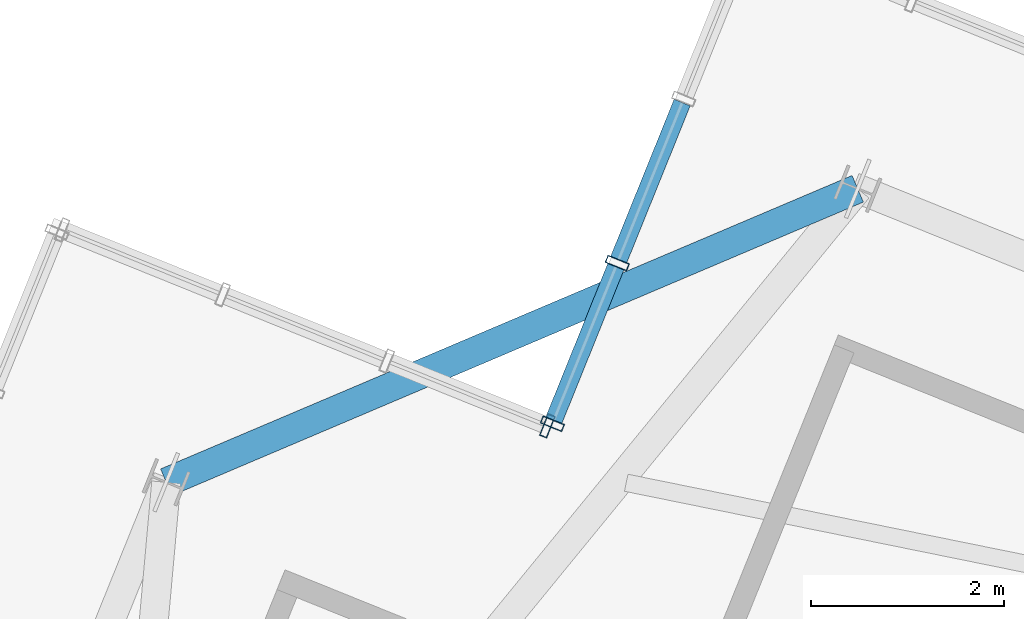
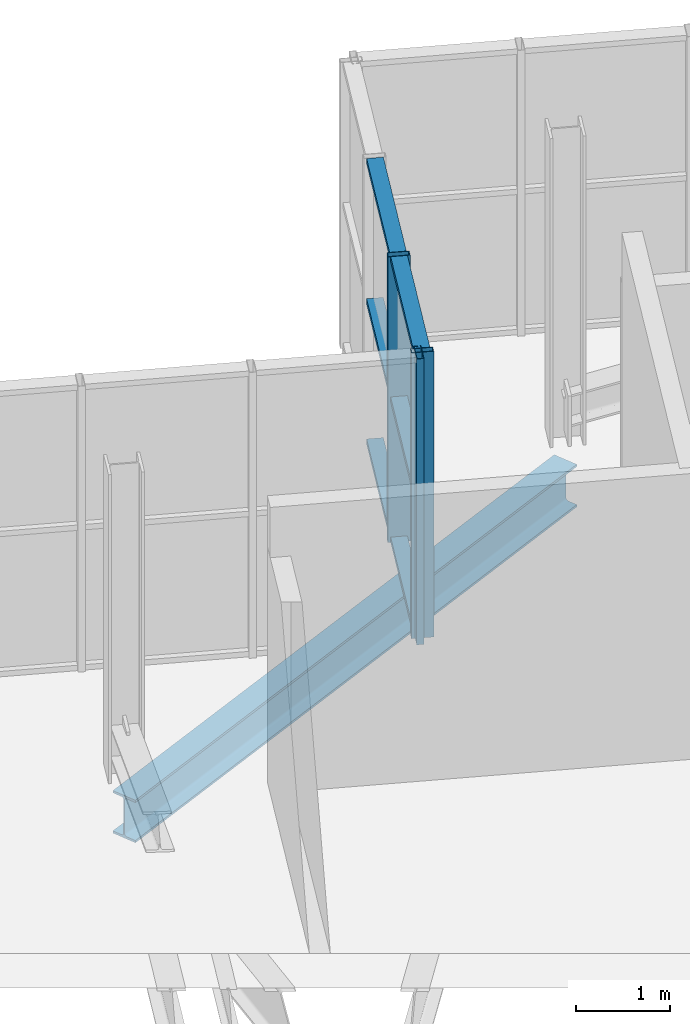
# One storey, part 14 of 26: 9 members, 1 beam, 2 elements without a shape of their own.
"""IFC4 building model written with IfcOpenShell, lengths in metres."""

from ifc_helpers import new_model, si_unit, direction, frame, origin, origin_2d, place, context, subcontext, project, spatial, hollow_rectangle, i_section, extrude, source, transform, mapped, material, layer, layer_set, material_profile, profile_set, type_object, element, aggregate, save


model = new_model("IFC4")

# Units and contexts
model_context = context("Model", 3, precision=1e-05, world=origin(), true_north=direction((0.0, 1.0)))
body_context = subcontext(model_context, "Body", "Model", "MODEL_VIEW")
ifc_project = project(units=[si_unit("LENGTHUNIT", "METRE"), si_unit("AREAUNIT", "SQUARE_METRE"), si_unit("VOLUMEUNIT", "CUBIC_METRE"), si_unit("PLANEANGLEUNIT", "RADIAN"), si_unit("MASSUNIT", "GRAM", prefix="KILO"), si_unit("THERMODYNAMICTEMPERATUREUNIT", "KELVIN")], contexts=[model_context])

# Site, building, storey
site_placement = place(None, origin())
site = spatial("IfcSite", under=ifc_project, at=site_placement, CompositionType="ELEMENT")
building_placement = place(site_placement, origin())
building = spatial("IfcBuilding", under=site, at=building_placement, Name="Kosmvard Interchange Tower", CompositionType="ELEMENT")
storey_placement = place(building_placement, frame((0.0, 0.0, 337.60009765625)))
storey = spatial("IfcBuildingStorey", under=building, at=storey_placement, Name="L83", CompositionType="ELEMENT", Elevation=337.60009765625)

# Beam
ifc_material_1 = material(Name="Steel S355", Category="steel")
ifc_material_profile_1 = material_profile(ifc_material_1, i_section(OverallWidth=0.300048828125, OverallDepth=0.550048828125, WebThickness=0.014892578125, FlangeThickness=0.029052734375, FilletRadius=0.027099609375, at=origin_2d()), Name="HEB 550")
ifc_profile_set_1 = profile_set([ifc_material_profile_1], Name="Steel S355")
beam_type = type_object("IfcBeamType", Name="Crown Ring Cap Girder HEB 550 S355", PredefinedType="BEAM", material=ifc_profile_set_1)
shared_shape_1 = source(origin(), body_context, "Body", "SweptSolid", [
    extrude(i_section(OverallWidth=0.300048828125, OverallDepth=0.550048828125, WebThickness=0.014892578125, FlangeThickness=0.029052734375, FilletRadius=0.027099609375, at=origin_2d()), origin(), (0.0, 0.0, 1.0), 7.778076171875),
])
beam_placement = place(storey_placement, frame((-5.34423828125, 22.54345703125, -0.5751953125), z_axis=(-0.92051132134, -0.39071589075, 0.0), x_axis=(0.39071589075, -0.92051132134, 0.0)))
element("IfcBeam", 1, at=beam_placement, inside=storey, type_object=beam_type, Name="BM-L83-PR06", PredefinedType="BEAM", context=body_context, shape_type="MappedRepresentation", body=[
    mapped(shared_shape_1, transform((0.0, 0.0, 0.0), scale=1.0)),
])

# Curtain wall, members
ifc_material_2 = material(Name="Architectural anodised aluminium", Category="aluminium")
ifc_layer = layer(ifc_material_2, 0.25, Name="Architectural anodised aluminium")
ifc_layer_set = layer_set([ifc_layer], Name="Architectural anodised aluminium")
curtain_wall_type = type_object("IfcCurtainWallType", Name="CW-6 Illuminated Crown Lantern Curtain Wall", PredefinedType="NOTDEFINED", material=ifc_layer_set)
curtain_wall_1_placement = place(storey_placement, origin())
curtain_wall_1 = element("IfcCurtainWall", 2, at=curtain_wall_1_placement, inside=storey, type_object=curtain_wall_type, Name="L83 Crown Lantern Glazing Face 05", PredefinedType="NOTDEFINED")
ifc_material_profile_2 = material_profile(ifc_material_2, hollow_rectangle(XDim=0.239990234375, YDim=0.080078125, WallThickness=0.006103515625, at=origin_2d()), Name="CWM 240x80x6")
ifc_profile_set_2 = profile_set([ifc_material_profile_2], Name="Architectural anodised aluminium")
member_type_1 = type_object("IfcMemberType", Name="Lantern & Observation CW Mullion 240x80 Aluminium", PredefinedType="MULLION", material=ifc_profile_set_2)
shared_shape_2 = source(origin(), body_context, "Body", "SweptSolid", [
    extrude(hollow_rectangle(XDim=0.239990234375, YDim=0.080078125, WallThickness=0.006103515625, at=origin_2d()), origin(), (0.0, 0.0, 1.0), 3.699951171875),
])
member_1_placement = place(storey_placement, frame((-7.833984375, 21.7734375, 0.0), z_axis=(0.0, 0.0, 1.0), x_axis=(0.92718386612, -0.374606564822, 0.0)))
member_1 = element("IfcMember", 3, at=member_1_placement, type_object=member_type_1, Name="CW-6 mullion 3", PredefinedType="MULLION", context=body_context, shape_type="MappedRepresentation", body=[
    mapped(shared_shape_2, transform((0.0, 0.0, 0.0), scale=1.0)),
])
member_2_placement = place(storey_placement, frame((-8.505859375, 20.110595703125, 0.0), z_axis=(0.0, 0.0, 1.0), x_axis=(0.92718386612, -0.374606564822, 0.0)))
member_2 = element("IfcMember", 4, at=member_2_placement, type_object=member_type_1, Name="CW-6 mullion 4", PredefinedType="MULLION", context=body_context, shape_type="MappedRepresentation", body=[
    mapped(shared_shape_2, transform((0.0, 0.0, 0.0), scale=1.0)),
])

# Curtain wall, member
curtain_wall_2_placement = place(storey_placement, origin())
curtain_wall_2 = element("IfcCurtainWall", 5, at=curtain_wall_2_placement, inside=storey, type_object=curtain_wall_type, Name="L83 Crown Lantern Glazing Face 06", PredefinedType="NOTDEFINED")
member_3_placement = place(storey_placement, frame((-8.557861328125, 20.088623046875, 0.0), z_axis=(0.0, 0.0, 1.0), x_axis=(-0.374606501678, -0.927183891631, 0.0)))
member_3 = element("IfcMember", 6, at=member_3_placement, type_object=member_type_1, Name="CW-6 mullion 1", PredefinedType="MULLION", context=body_context, shape_type="MappedRepresentation", body=[
    mapped(shared_shape_2, transform((0.0, 0.0, 0.0), scale=1.0)),
])
aggregate(curtain_wall_2, [member_3])

# Member
ifc_material_profile_3 = material_profile(ifc_material_2, hollow_rectangle(XDim=0.179931640625, YDim=0.070068359375, WallThickness=0.0048828125, at=origin_2d()), Name="CWT 180x70x5")
ifc_profile_set_3 = profile_set([ifc_material_profile_3], Name="Architectural anodised aluminium")
member_type_2 = type_object("IfcMemberType", Name="Heavy Lantern CW Transom 180x70 Aluminium", PredefinedType="USERDEFINED", material=ifc_profile_set_3)
shared_shape_3 = source(origin(), body_context, "Body", "SweptSolid", [
    extrude(hollow_rectangle(XDim=0.179931640625, YDim=0.070068359375, WallThickness=0.0048828125, at=origin_2d()), origin(), (0.0, 0.0, 1.0), 1.71337890625),
])
member_4_placement = place(storey_placement, frame((-7.848876953125, 21.736328125, 0.034912109375), z_axis=(-0.374606758599, -0.927183787829, 0.0), x_axis=(0.927183787829, -0.374606758599, 0.0)))
member_4 = element("IfcMember", 7, at=member_4_placement, type_object=member_type_2, Name="CW-6 transom 3.1", ObjectType="TRANSOM", PredefinedType="USERDEFINED", context=body_context, shape_type="MappedRepresentation", body=[
    mapped(shared_shape_3, transform((0.0, 0.0, 0.0), scale=1.0)),
])

member_5_placement = place(storey_placement, frame((-7.848876953125, 21.736328125, 1.849853515625), z_axis=(-0.374606758599, -0.927183787829, 0.0), x_axis=(0.927183787829, -0.374606758599, 0.0)))
member_5 = element("IfcMember", 8, at=member_5_placement, type_object=member_type_2, Name="CW-6 transom 3.2", ObjectType="TRANSOM", PredefinedType="USERDEFINED", context=body_context, shape_type="MappedRepresentation", body=[
    mapped(shared_shape_3, transform((0.0, 0.0, 0.0), scale=1.0)),
])

member_6_placement = place(storey_placement, frame((-7.848876953125, 21.736328125, 3.664794921875), z_axis=(-0.374606758599, -0.927183787829, 0.0), x_axis=(0.927183787829, -0.374606758599, 0.0)))
member_6 = element("IfcMember", 9, at=member_6_placement, type_object=member_type_2, Name="CW-6 transom 3.3", ObjectType="TRANSOM", PredefinedType="USERDEFINED", context=body_context, shape_type="MappedRepresentation", body=[
    mapped(shared_shape_3, transform((0.0, 0.0, 0.0), scale=1.0)),
])

shared_shape_4 = source(origin(), body_context, "Body", "SweptSolid", [
    extrude(hollow_rectangle(XDim=0.179931640625, YDim=0.070068359375, WallThickness=0.0048828125, at=origin_2d()), origin(), (0.0, 0.0, 1.0), 1.75341796875),
])
member_7_placement = place(storey_placement, frame((-7.162109375, 23.436279296875, 0.034912109375), z_axis=(-0.374677135907, -0.927155350429, 0.0), x_axis=(0.927155350429, -0.374677135907, 0.0)))
member_7 = element("IfcMember", 10, at=member_7_placement, type_object=member_type_2, Name="CW-6 transom 2.1", ObjectType="TRANSOM", PredefinedType="USERDEFINED", context=body_context, shape_type="MappedRepresentation", body=[
    mapped(shared_shape_4, transform((0.0, 0.0, 0.0), scale=1.0)),
])

member_8_placement = place(storey_placement, frame((-7.162109375, 23.436279296875, 1.849853515625), z_axis=(-0.374677135907, -0.927155350429, 0.0), x_axis=(0.927155350429, -0.374677135907, 0.0)))
member_8 = element("IfcMember", 11, at=member_8_placement, type_object=member_type_2, Name="CW-6 transom 2.2", ObjectType="TRANSOM", PredefinedType="USERDEFINED", context=body_context, shape_type="MappedRepresentation", body=[
    mapped(shared_shape_4, transform((0.0, 0.0, 0.0), scale=1.0)),
])

member_9_placement = place(storey_placement, frame((-7.162109375, 23.436279296875, 3.664794921875), z_axis=(-0.374677135907, -0.927155350429, 0.0), x_axis=(0.927155350429, -0.374677135907, 0.0)))
member_9 = element("IfcMember", 12, at=member_9_placement, type_object=member_type_2, Name="CW-6 transom 2.3", ObjectType="TRANSOM", PredefinedType="USERDEFINED", context=body_context, shape_type="MappedRepresentation", body=[
    mapped(shared_shape_4, transform((0.0, 0.0, 0.0), scale=1.0)),
])

aggregate(curtain_wall_1, [member_1, member_2, member_7, member_8, member_9, member_4, member_5, member_6])

save(model, "model.ifc")
